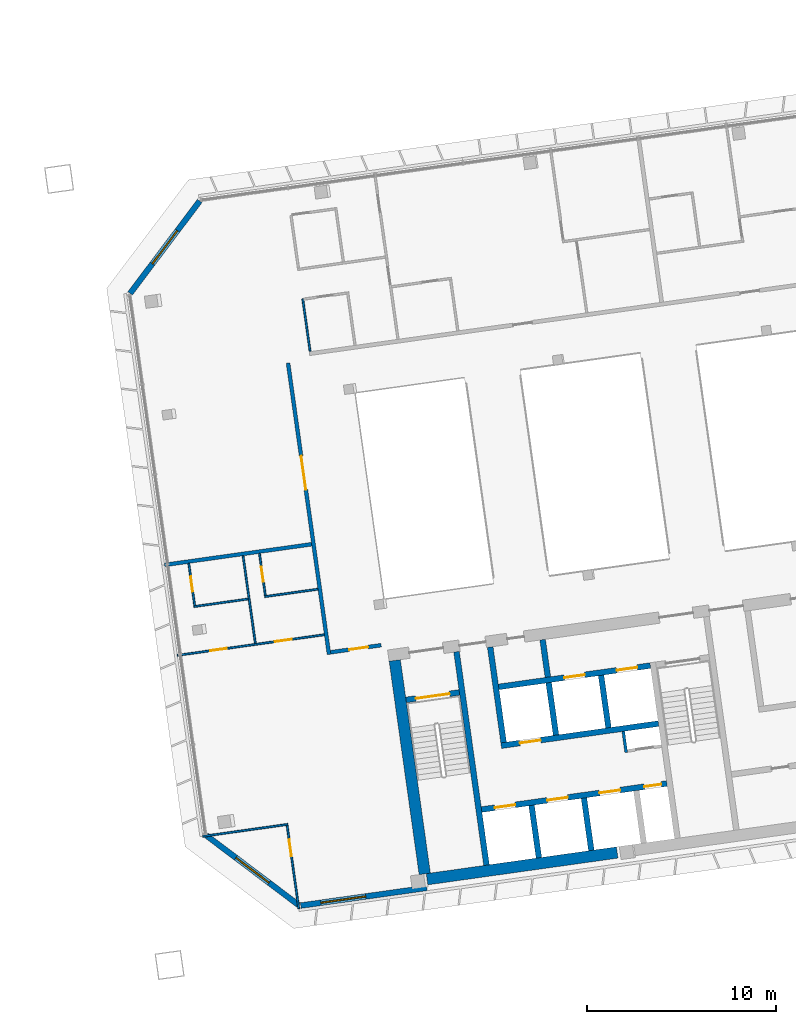
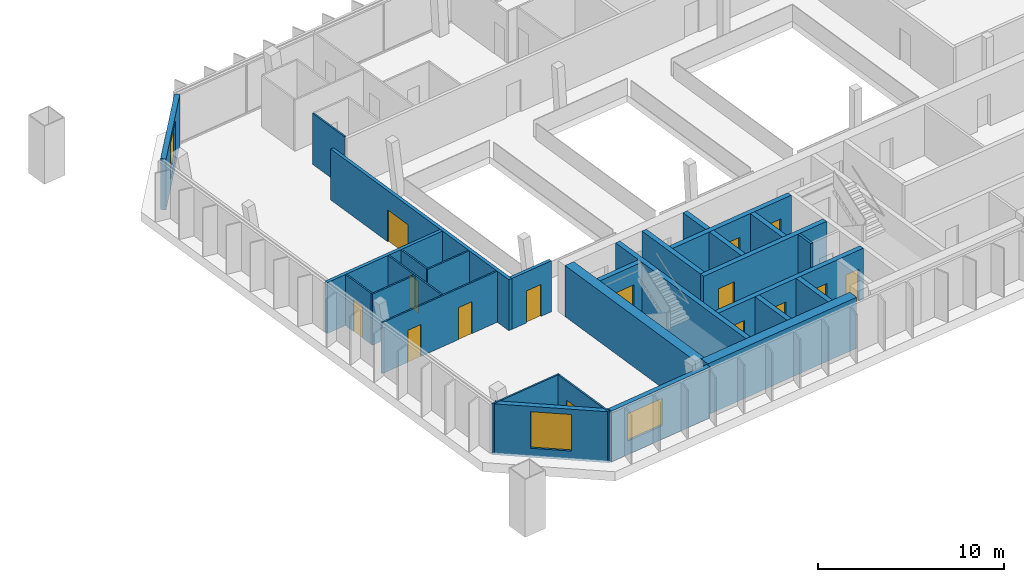
# One storey, part 15 of 20: 29 walls, 15 doors, 3 windows, 18 openings.
"""IFC4 building model written with IfcOpenShell, lengths in metres."""

import ifcopenshell
import ifcopenshell.guid

model = None  # the IFC model being written
_history = None  # IfcOwnerHistory: only IFC2X3 demands one
_inside = {}  # id of a spatial element -> (the spatial element, [elements in it])
_under = {}  # id of a project, library or spatial element -> (it, [spatial elements below it])
_declared = {}  # id of a project -> (the project, [libraries it declares])
_typed = {}  # id of a type object -> (the type object, [elements of that type])
_made_of = {}  # id of a material, layer set ... -> (it, [elements and type objects made of it])


def new_model(schema):
    """Start an empty IFC model of exactly this schema.

    Asked for "IFC4X3", IfcOpenShell would pick the latest addendum, in which some entities
    have other attributes; the version numbers below select the first issue.
    IFC2X3 requires an IfcOwnerHistory on every rooted entity: one is made here for all.
    """
    global model, _history
    if schema == "IFC4X3":
        model = ifcopenshell.file(schema_version=(4, 3, 0, 0))
    else:
        model = ifcopenshell.file(schema=schema)
    _inside.clear()
    _under.clear()
    _declared.clear()
    _typed.clear()
    _made_of.clear()
    _history = None
    if model.schema == "IFC2X3":
        org = make("IfcOrganization", Name="unknown")
        user = make(
            "IfcPersonAndOrganization",
            ThePerson=make("IfcPerson", FamilyName="unknown"),
            TheOrganization=org,
        )
        app = make(
            "IfcApplication",
            ApplicationDeveloper=org,
            Version="unknown",
            ApplicationFullName="unknown",
            ApplicationIdentifier="unknown",
        )
        _history = make(
            "IfcOwnerHistory",
            OwningUser=user,
            OwningApplication=app,
            ChangeAction="ADDED",
            CreationDate=0,
        )
    return model


def make(cls, **values):
    """One entity of the class cls with the attributes given. An attribute that is None is left unset."""
    return model.create_entity(
        cls, **{name: value for name, value in values.items() if value is not None}
    )


def rooted(cls, **values):
    """An entity with a GlobalId (a new one), such as an element, a storey or a relation."""
    return make(cls, GlobalId=ifcopenshell.guid.new(), OwnerHistory=_history, **values)


def si_unit(unit_type, name, prefix=None):
    """IfcSIUnit, for example si_unit("LENGTHUNIT", "METRE", prefix="MILLI")."""
    return make("IfcSIUnit", UnitType=unit_type, Prefix=prefix, Name=name)


def assignment(units):
    """IfcUnitAssignment: the units of a project."""
    return None if units is None else make("IfcUnitAssignment", Units=units)


def point(xyz):
    """IfcCartesianPoint."""
    return None if xyz is None else make("IfcCartesianPoint", Coordinates=xyz)


def direction(xyz):
    """IfcDirection."""
    return None if xyz is None else make("IfcDirection", DirectionRatios=xyz)


def frame(location, z_axis=None, x_axis=None):
    """IfcAxis2Placement3D, a coordinate frame: its origin and axes. An axis left out is left unset."""
    return make(
        "IfcAxis2Placement3D",
        Location=point(location),
        Axis=direction(z_axis),
        RefDirection=direction(x_axis),
    )


def frame_2d(location, x_axis=None):
    """IfcAxis2Placement2D, a coordinate frame in the plane: its origin and x axis."""
    return make(
        "IfcAxis2Placement2D", Location=point(location), RefDirection=direction(x_axis)
    )


def origin():
    """The frame at (0, 0, 0) with its axes left unset."""
    return frame((0.0, 0.0, 0.0))


def place(relative_to, where):
    """IfcLocalPlacement: puts the frame where relative to a parent placement (None: the world)."""
    return make(
        "IfcLocalPlacement", PlacementRelTo=relative_to, RelativePlacement=where
    )


def context(
    kind, dimensions, precision=None, world=None, true_north=None, identifier=None
):
    """IfcGeometricRepresentationContext, for example the 3D "Model" context."""
    return make(
        "IfcGeometricRepresentationContext",
        ContextIdentifier=identifier,
        ContextType=kind,
        CoordinateSpaceDimension=dimensions,
        Precision=precision,
        WorldCoordinateSystem=world,
        TrueNorth=true_north,
    )


def subcontext(parent, identifier, kind, view, scale=None):
    """IfcGeometricRepresentationSubContext, for example "Body" below "Model"."""
    return make(
        "IfcGeometricRepresentationSubContext",
        ContextIdentifier=identifier,
        ContextType=kind,
        ParentContext=parent,
        TargetScale=scale,
        TargetView=view,
    )


def project(units=None, contexts=None):
    """IfcProject with its units and contexts."""
    return rooted(
        "IfcProject",
        Name="project",
        RepresentationContexts=contexts,
        UnitsInContext=assignment(units),
    )


def spatial(cls, under=None, at=None, **own):
    """A site, building, storey or space (cls), placed at a placement, below another one or the project."""
    s = rooted(cls, ObjectPlacement=at, **own)
    if under is not None:
        _under.setdefault(under.id(), (under, []))[1].append(s)
    return s


def profile(cls, at=None, kind="AREA", **sizes):
    """A parametric profile (cls). Its sizes go by their IFC names, for example OverallWidth=200.0."""
    return make(cls, ProfileType=kind, Position=at, **sizes)


def rectangle(**sizes):
    """IfcRectangleProfileDef."""
    return profile("IfcRectangleProfileDef", **sizes)


def extrude(swept, where, along, depth):
    """IfcExtrudedAreaSolid: the profile swept, set in the frame where, extruded along a direction by depth."""
    return make(
        "IfcExtrudedAreaSolid",
        SweptArea=swept,
        Position=where,
        ExtrudedDirection=direction(along),
        Depth=depth,
    )


def shape(context_of_items, identifier, shape_type, items):
    """IfcShapeRepresentation: the items that make up one representation, for example the "Body"."""
    return make(
        "IfcShapeRepresentation",
        ContextOfItems=context_of_items,
        RepresentationIdentifier=identifier,
        RepresentationType=shape_type,
        Items=items,
    )


def material(Name=None, Category=None):
    """IfcMaterial."""
    return make("IfcMaterial", Name=Name, Category=Category)


def layer(
    of_material, thickness, ventilated=None, Name=None, Category=None, Priority=None
):
    """IfcMaterialLayer: one layer of a wall or slab, of a material (None: an air gap)."""
    return make(
        "IfcMaterialLayer",
        Material=of_material,
        LayerThickness=thickness,
        IsVentilated=ventilated,
        Name=Name,
        Category=Category,
        Priority=Priority,
    )


def layer_set(layers, Name=None):
    """IfcMaterialLayerSet."""
    return make("IfcMaterialLayerSet", MaterialLayers=layers, LayerSetName=Name)


def made_of(thing, what):
    """Note that an element or type object is made of a material, layer set ...; save() writes the relation."""
    if what is not None:
        _made_of.setdefault(what.id(), (what, []))[1].append(thing)
    return thing


def type_object(cls, material=None, **own):
    """A type object (cls), such as IfcWallType, which elements share."""
    return made_of(rooted(cls, **own), material)


def element(
    cls,
    number,
    at=None,
    inside=None,
    cuts=None,
    type_object=None,
    material=None,
    context=None,
    identifier="Body",
    shape_type=None,
    held_by="IfcProductDefinitionShape",
    body=None,
    shapes=None,
    **own,
):
    """One element of the class cls, such as IfcWall. Its Tag is "e" and its number.

    at: its placement. inside: the storey or other place that contains it. cuts: it is an
    opening in that element (IfcRelVoidsElement). A single representation is given by context,
    identifier, shape_type and body (its items); several are given by shapes. held_by: the class
    of the entity that holds the representations. save() writes the other relations.
    """
    e = rooted(cls, Tag="e%d" % number, ObjectPlacement=at, **own)
    if body is not None:
        shapes = [shape(context, identifier, shape_type, body)]
    if shapes is not None:
        e.Representation = make(held_by, Representations=shapes)
    if inside is not None:
        _inside.setdefault(inside.id(), (inside, []))[1].append(e)
    if cuts is not None:
        rooted(
            "IfcRelVoidsElement", RelatingBuildingElement=cuts, RelatedOpeningElement=e
        )
    if type_object is not None:
        _typed.setdefault(type_object.id(), (type_object, []))[1].append(e)
    return made_of(e, material)


def fill(opening, filler):
    """IfcRelFillsElement: the door or window that sits in an opening."""
    return rooted(
        "IfcRelFillsElement",
        RelatingOpeningElement=opening,
        RelatedBuildingElement=filler,
    )


def aggregate(whole, parts):
    """IfcRelAggregates: a whole, such as a stair, and the parts it consists of."""
    return rooted("IfcRelAggregates", RelatingObject=whole, RelatedObjects=parts)


def save(model, path):
    """Write the relations noted so far, then the file.

    IfcRelAggregates (storeys below a building ...), IfcRelContainedInSpatialStructure (elements
    in a storey), IfcRelDefinesByType, IfcRelAssociatesMaterial and IfcRelDeclares: one each for
    every whole, place, type object, material and project.
    """
    for whole, parts in _under.values():
        aggregate(whole, parts)
    for where, things in _inside.values():
        rooted(
            "IfcRelContainedInSpatialStructure",
            RelatedElements=things,
            RelatingStructure=where,
        )
    for kind, things in _typed.values():
        rooted("IfcRelDefinesByType", RelatedObjects=things, RelatingType=kind)
    for what, things in _made_of.values():
        rooted("IfcRelAssociatesMaterial", RelatedObjects=things, RelatingMaterial=what)
    for by, libraries in _declared.values():
        rooted("IfcRelDeclares", RelatingContext=by, RelatedDefinitions=libraries)
    model.write(path)


model = new_model("IFC4")

# Units and contexts
model_context = context("Model", 3, precision=1e-05, world=origin(), true_north=direction((0.0, 1.0)))
body_context = subcontext(model_context, "Body", "Model", "MODEL_VIEW")
ifc_project = project(units=[si_unit("LENGTHUNIT", "METRE"), si_unit("AREAUNIT", "SQUARE_METRE"), si_unit("VOLUMEUNIT", "CUBIC_METRE"), si_unit("PLANEANGLEUNIT", "RADIAN"), si_unit("MASSUNIT", "GRAM", prefix="KILO")], contexts=[model_context])

# Site, building, storey
site_placement = place(None, origin())
site = spatial("IfcSite", under=ifc_project, at=site_placement, CompositionType="ELEMENT")
building_placement = place(site_placement, origin())
building = spatial("IfcBuilding", under=site, at=building_placement, Name="Mirante Cascada Hotel Towers", CompositionType="ELEMENT")
storey_placement = place(building_placement, frame((0.0, 0.0, 224.2)))
storey = spatial("IfcBuildingStorey", under=building, at=storey_placement, Name="L53", CompositionType="ELEMENT", Elevation=224.2)

# Wall, opening, door
ifc_material_1 = material(Name="Fire-rated plasterboard on metal studs")
ifc_layer_1 = layer(ifc_material_1, 0.2)
ifc_layer_set_1 = layer_set([ifc_layer_1], Name="Compartment wall 200 EI 120")
wall_type_1 = type_object("IfcWallType", Name="Compartment wall 200 EI 120", PredefinedType="PARTITIONING", material=ifc_layer_set_1)
wall_1_placement = place(storey_placement, frame((32.5897, -7.493, 0.0), z_axis=(0.0, 0.0, 1.0), x_axis=(0.9902713, 0.1391498, 0.0)))
wall_1 = element("IfcWall", 1, at=wall_1_placement, inside=storey, type_object=wall_type_1, Name="Wall 2-L53-04", PredefinedType="PARTITIONING", context=body_context, shape_type="SweptSolid", body=[
    extrude(rectangle(XDim=2.7, YDim=0.2, at=frame_2d((1.35, 0.0))), origin(), (0.0, 0.0, 1.0), 3.35),
])
opening_1_placement = place(wall_1_placement, frame((1.0, 0.0, 0.0)))
opening_1 = element("IfcOpeningElement", 2, at=opening_1_placement, cuts=wall_1, Name="Opening D2-L53-01", PredefinedType="OPENING", context=body_context, shape_type="SweptSolid", body=[
    extrude(rectangle(XDim=1.0, YDim=2.1, at=frame_2d((0.5, 1.05))), frame((0.0, 0.1, 0.0), z_axis=(0.0, -1.0, 0.0), x_axis=(1.0, 0.0, 0.0)), (0.0, 0.0, 1.0), 0.2),
])
ifc_material_2 = material(Name="Fire-rated timber door leaf", Category="wood")
door_type_1 = type_object("IfcDoorType", Name="Entrance door DG1 1000x2100 EI 60", OperationType="SINGLE_SWING_LEFT", PredefinedType="DOOR", material=ifc_material_2)
door_1_placement = place(opening_1_placement, frame((1.0, 0.0, 0.0), z_axis=(0.0, 0.0, 1.0), x_axis=(-1.0, 0.0, 0.0)))
door_1 = element("IfcDoor", 3, at=door_1_placement, inside=storey, type_object=door_type_1, Name="Door D2-L53-01", OperationType="SINGLE_SWING_RIGHT", OverallHeight=2.1, OverallWidth=1.0, PredefinedType="DOOR", context=body_context, shape_type="SweptSolid", body=[
    extrude(rectangle(XDim=1.0, YDim=2.1, at=frame_2d((0.5, 1.05))), frame((0.0, 0.025, 0.0), z_axis=(0.0, -1.0, 0.0), x_axis=(1.0, 0.0, 0.0)), (0.0, 0.0, 1.0), 0.05),
])
fill(opening_1, door_1)

# Wall
wall_2_placement = place(storey_placement, frame((31.5844, -1.7773, 0.0), z_axis=(0.0, 0.0, 1.0), x_axis=(-0.9902673, -0.1391786, 0.0)))
element("IfcWall", 4, at=wall_2_placement, inside=storey, type_object=wall_type_1, Name="Wall 2-L53-09", PredefinedType="PARTITIONING", context=body_context, shape_type="SweptSolid", body=[
    extrude(rectangle(XDim=7.8539, YDim=0.2, at=frame_2d((3.927, 0.0))), origin(), (0.0, 0.0, 1.0), 3.35),
])

# Wall, opening, door
wall_3_placement = place(storey_placement, frame((30.3381, 7.8092, 0.0), z_axis=(0.0, 0.0, 1.0), x_axis=(0.1391753, -0.9902678, 0.0)))
wall_3 = element("IfcWall", 5, at=wall_3_placement, inside=storey, type_object=wall_type_1, Name="Wall 2-L53-27", PredefinedType="PARTITIONING", context=body_context, shape_type="SweptSolid", body=[
    extrude(rectangle(XDim=15.5667, YDim=0.2, at=frame_2d((7.7834, 0.0))), origin(), (0.0, 0.0, 1.0), 3.35),
])
opening_2_placement = place(wall_3_placement, frame((4.9667, 0.0, 0.0)))
opening_2 = element("IfcOpeningElement", 6, at=opening_2_placement, cuts=wall_3, Name="Opening D2-L53-17", PredefinedType="OPENING", context=body_context, shape_type="SweptSolid", body=[
    extrude(rectangle(XDim=1.8, YDim=2.1, at=frame_2d((0.9, 1.05))), frame((0.0, 0.1, 0.0), z_axis=(0.0, -1.0, 0.0), x_axis=(1.0, 0.0, 0.0)), (0.0, 0.0, 1.0), 0.2),
])
ifc_material_3 = material(Name="Fire-rated timber door leaf", Category="wood")
door_type_2 = type_object("IfcDoorType", Name="Suite double door DG2 1800x2100 EI 60", OperationType="DOUBLE_DOOR_SINGLE_SWING", PredefinedType="DOOR", material=ifc_material_3)
door_2_placement = place(opening_2_placement, origin())
door_2 = element("IfcDoor", 7, at=door_2_placement, inside=storey, type_object=door_type_2, Name="Door D2-L53-17", OperationType="DOUBLE_DOOR_SINGLE_SWING", OverallHeight=2.1, OverallWidth=1.8, PredefinedType="DOOR", context=body_context, shape_type="SweptSolid", body=[
    extrude(rectangle(XDim=0.895, YDim=2.1, at=frame_2d((0.4475, 1.05))), frame((0.0, 0.025, 0.0), z_axis=(0.0, -1.0, 0.0), x_axis=(1.0, 0.0, 0.0)), (0.0, 0.0, 1.0), 0.05),
    extrude(rectangle(XDim=0.895, YDim=2.1, at=frame_2d((1.3525, 1.05))), frame((0.0, 0.025, 0.0), z_axis=(0.0, -1.0, 0.0), x_axis=(1.0, 0.0, 0.0)), (0.0, 0.0, 1.0), 0.05),
])
fill(opening_2, door_2)

# Walls
ifc_material_4 = material(Name="Masonry block", Category="masonry")
ifc_layer_2 = layer(ifc_material_4, 0.15)
ifc_layer_set_2 = layer_set([ifc_layer_2], Name="Core room partition 150 block EI 30")
wall_type_2 = type_object("IfcWallType", Name="Core room partition 150 block EI 30", PredefinedType="PARTITIONING", material=ifc_layer_set_2)
wall_4_placement = place(storey_placement, frame((48.2295, -12.793, 0.0), z_axis=(0.0, 0.0, 1.0), x_axis=(-0.1391935, 0.9902652, 0.0)))
element("IfcWall", 8, at=wall_4_placement, inside=storey, type_object=wall_type_2, Name="Core wall partition T2 L53 2", PredefinedType="PARTITIONING", context=body_context, shape_type="SweptSolid", body=[
    extrude(rectangle(XDim=1.1251, YDim=0.15, at=frame_2d((0.5626, 0.0))), origin(), (0.0, 0.0, 1.0), 3.35),
])
ifc_material_5 = material(Name="Masonry block", Category="masonry")
ifc_layer_3 = layer(ifc_material_5, 0.3)
ifc_layer_set_3 = layer_set([ifc_layer_3], Name="Core wall 300 block EI 120")
wall_type_3 = type_object("IfcWallType", Name="Core wall 300 block EI 120", PredefinedType="PARTITIONING", material=ifc_layer_set_3)
wall_5_placement = place(storey_placement, frame((44.0843, -8.8061, 0.0), z_axis=(0.0, 0.0, 1.0), x_axis=(-0.1391951, 0.990265, 0.0)))
element("IfcWall", 9, at=wall_5_placement, inside=storey, type_object=wall_type_3, Name="Core wall partition T2 L53 1", PredefinedType="PARTITIONING", context=body_context, shape_type="SweptSolid", body=[
    extrude(rectangle(XDim=2.0001, YDim=0.3, at=frame_2d((1.0001, 0.0))), origin(), (0.0, 0.0, 1.0), 3.35),
])
ifc_material_6 = material(Name="Plasterboard on metal studs")
ifc_layer_4 = layer(ifc_material_6, 0.1)
ifc_layer_set_4 = layer_set([ifc_layer_4], Name="Partition 100")
wall_type_4 = type_object("IfcWallType", Name="Partition 100", PredefinedType="PARTITIONING", material=ifc_layer_set_4)
wall_6_placement = place(storey_placement, frame((30.3306, -16.596, 0.0), z_axis=(0.0, 0.0, 1.0), x_axis=(-0.9902661, -0.1391871, 0.0)))
element("IfcWall", 10, at=wall_6_placement, inside=storey, type_object=wall_type_4, Name="Wall 2-L53-01", PredefinedType="PARTITIONING", context=body_context, shape_type="SweptSolid", body=[
    extrude(rectangle(XDim=4.55, YDim=0.1, at=frame_2d((2.275, 0.0))), origin(), (0.0, 0.0, 1.0), 3.35),
])

# Wall, openings, doors
wall_7_placement = place(storey_placement, frame((32.2571, -6.5636, 0.0), z_axis=(0.0, 0.0, 1.0), x_axis=(-0.9902675, -0.1391768, 0.0)))
wall_7 = element("IfcWall", 11, at=wall_7_placement, inside=storey, type_object=wall_type_4, Name="Wall 2-L53-05", PredefinedType="PARTITIONING", context=body_context, shape_type="SweptSolid", body=[
    extrude(rectangle(XDim=7.854, YDim=0.1, at=frame_2d((3.927, 0.0))), origin(), (0.0, 0.0, 1.0), 3.35),
])
opening_3_placement = place(wall_7_placement, frame((5.204, 0.0, 0.0)))
opening_3 = element("IfcOpeningElement", 12, at=opening_3_placement, cuts=wall_7, Name="Opening D2-L53-02", PredefinedType="OPENING", context=body_context, shape_type="SweptSolid", body=[
    extrude(rectangle(XDim=0.9, YDim=2.1, at=frame_2d((0.45, 1.05))), frame((0.0, 0.05, 0.0), z_axis=(0.0, -1.0, 0.0), x_axis=(1.0, 0.0, 0.0)), (0.0, 0.0, 1.0), 0.1),
])
opening_4_placement = place(wall_7_placement, frame((1.7385, 0.0, 0.0)))
opening_4 = element("IfcOpeningElement", 13, at=opening_4_placement, cuts=wall_7, Name="Opening D2-L53-03", PredefinedType="OPENING", context=body_context, shape_type="SweptSolid", body=[
    extrude(rectangle(XDim=0.9, YDim=2.1, at=frame_2d((0.45, 1.05))), frame((0.0, 0.05, 0.0), z_axis=(0.0, -1.0, 0.0), x_axis=(1.0, 0.0, 0.0)), (0.0, 0.0, 1.0), 0.1),
])
ifc_material_7 = material(Name="Timber door leaf", Category="wood")
door_type_3 = type_object("IfcDoorType", Name="Room door DG3 900x2100", OperationType="SINGLE_SWING_LEFT", PredefinedType="DOOR", material=ifc_material_7)
door_3_placement = place(opening_3_placement, origin())
door_3 = element("IfcDoor", 14, at=door_3_placement, inside=storey, type_object=door_type_3, Name="Door D2-L53-02", OperationType="SINGLE_SWING_LEFT", OverallHeight=2.1, OverallWidth=0.9, PredefinedType="DOOR", context=body_context, shape_type="SweptSolid", body=[
    extrude(rectangle(XDim=0.9, YDim=2.1, at=frame_2d((0.45, 1.05))), frame((0.0, 0.025, 0.0), z_axis=(0.0, -1.0, 0.0), x_axis=(1.0, 0.0, 0.0)), (0.0, 0.0, 1.0), 0.05),
])
fill(opening_3, door_3)
door_4_placement = place(opening_4_placement, origin())
door_4 = element("IfcDoor", 15, at=door_4_placement, inside=storey, type_object=door_type_3, Name="Door D2-L53-03", OperationType="SINGLE_SWING_LEFT", OverallHeight=2.1, OverallWidth=0.9, PredefinedType="DOOR", context=body_context, shape_type="SweptSolid", body=[
    extrude(rectangle(XDim=0.9, YDim=2.1, at=frame_2d((0.45, 1.05))), frame((0.0, 0.025, 0.0), z_axis=(0.0, -1.0, 0.0), x_axis=(1.0, 0.0, 0.0)), (0.0, 0.0, 1.0), 0.05),
])
fill(opening_4, door_4)

# Walls
wall_8_placement = place(storey_placement, frame((28.2277, -4.6727, 0.0), z_axis=(0.0, 0.0, 1.0), x_axis=(-0.9902683, -0.1391714, 0.0)))
element("IfcWall", 16, at=wall_8_placement, inside=storey, type_object=wall_type_4, Name="Wall 2-L53-07", PredefinedType="PARTITIONING", context=body_context, shape_type="SweptSolid", body=[
    extrude(rectangle(XDim=2.9, YDim=0.1, at=frame_2d((1.45, 0.0))), origin(), (0.0, 0.0, 1.0), 3.35),
])
wall_9_placement = place(storey_placement, frame((29.0962, -4.5506, 0.0), z_axis=(0.0, 0.0, 1.0), x_axis=(0.9902697, 0.1391613, 0.0)))
element("IfcWall", 17, at=wall_9_placement, inside=storey, type_object=wall_type_4, Name="Wall 2-L53-08", PredefinedType="PARTITIONING", context=body_context, shape_type="SweptSolid", body=[
    extrude(rectangle(XDim=2.8499, YDim=0.1, at=frame_2d((1.425, 0.0))), origin(), (0.0, 0.0, 1.0), 3.35),
])

# Wall, opening, door
wall_10_placement = place(storey_placement, frame((25.0854, -2.7917, 0.0), z_axis=(0.0, 0.0, 1.0), x_axis=(0.1391561, -0.9902705, 0.0)))
wall_10 = element("IfcWall", 18, at=wall_10_placement, inside=storey, type_object=wall_type_4, Name="Wall 2-L53-23", PredefinedType="PARTITIONING", context=body_context, shape_type="SweptSolid", body=[
    extrude(rectangle(XDim=2.25, YDim=0.1, at=frame_2d((1.125, 0.0))), origin(), (0.0, 0.0, 1.0), 3.35),
])
opening_5_placement = place(wall_10_placement, frame((0.7, 0.0, 0.0)))
opening_5 = element("IfcOpeningElement", 19, at=opening_5_placement, cuts=wall_10, Name="Opening D2-L53-14", PredefinedType="OPENING", context=body_context, shape_type="SweptSolid", body=[
    extrude(rectangle(XDim=0.8, YDim=2.1, at=frame_2d((0.4, 1.05))), frame((0.0, 0.05, 0.0), z_axis=(0.0, -1.0, 0.0), x_axis=(1.0, 0.0, 0.0)), (0.0, 0.0, 1.0), 0.1),
])
ifc_material_8 = material(Name="Timber door leaf", Category="wood")
door_type_4 = type_object("IfcDoorType", Name="Bathroom door DG4 800x2100", OperationType="SINGLE_SWING_LEFT", PredefinedType="DOOR", material=ifc_material_8)
door_5_placement = place(opening_5_placement, origin())
door_5 = element("IfcDoor", 20, at=door_5_placement, inside=storey, type_object=door_type_4, Name="Door D2-L53-14", OperationType="SINGLE_SWING_LEFT", OverallHeight=2.1, OverallWidth=0.8, PredefinedType="DOOR", context=body_context, shape_type="SweptSolid", body=[
    extrude(rectangle(XDim=0.8, YDim=2.1, at=frame_2d((0.4, 1.05))), frame((0.0, 0.025, 0.0), z_axis=(0.0, -1.0, 0.0), x_axis=(1.0, 0.0, 0.0)), (0.0, 0.0, 1.0), 0.05),
])
fill(opening_5, door_5)

# Wall
wall_11_placement = place(storey_placement, frame((28.6089, -7.0258, 0.0), z_axis=(0.0, 0.0, 1.0), x_axis=(-0.139176, 0.9902677, 0.0)))
element("IfcWall", 21, at=wall_11_placement, inside=storey, type_object=wall_type_4, Name="Wall 2-L53-24", PredefinedType="PARTITIONING", context=body_context, shape_type="SweptSolid", body=[
    extrude(rectangle(XDim=4.6833, YDim=0.1, at=frame_2d((2.3416, 0.0))), origin(), (0.0, 0.0, 1.0), 3.35),
])

# Wall, opening, door
wall_12_placement = place(storey_placement, frame((30.288, -16.6525, 0.0), z_axis=(0.0, 0.0, 1.0), x_axis=(0.1391904, -0.9902656, 0.0)))
wall_12 = element("IfcWall", 22, at=wall_12_placement, inside=storey, type_object=wall_type_4, Name="Wall 2-L53-25", PredefinedType="PARTITIONING", context=body_context, shape_type="SweptSolid", body=[
    extrude(rectangle(XDim=4.45, YDim=0.1, at=frame_2d((2.225, 0.0))), origin(), (0.0, 0.0, 1.0), 3.35),
])
opening_6_placement = place(wall_12_placement, frame((0.75, 0.0, 0.0)))
opening_6 = element("IfcOpeningElement", 23, at=opening_6_placement, cuts=wall_12, Name="Opening D2-L53-15", PredefinedType="OPENING", context=body_context, shape_type="SweptSolid", body=[
    extrude(rectangle(XDim=0.9, YDim=2.1, at=frame_2d((0.45, 1.05))), frame((0.0, 0.05, 0.0), z_axis=(0.0, -1.0, 0.0), x_axis=(1.0, 0.0, 0.0)), (0.0, 0.0, 1.0), 0.1),
])
door_6_placement = place(opening_6_placement, origin())
door_6 = element("IfcDoor", 24, at=door_6_placement, inside=storey, type_object=door_type_3, Name="Door D2-L53-15", OperationType="SINGLE_SWING_LEFT", OverallHeight=2.1, OverallWidth=0.9, PredefinedType="DOOR", context=body_context, shape_type="SweptSolid", body=[
    extrude(rectangle(XDim=0.9, YDim=2.1, at=frame_2d((0.45, 1.05))), frame((0.0, 0.025, 0.0), z_axis=(0.0, -1.0, 0.0), x_axis=(1.0, 0.0, 0.0)), (0.0, 0.0, 1.0), 0.05),
])
fill(opening_6, door_6)

wall_13_placement = place(storey_placement, frame((29.1387, -4.4941, 0.0), z_axis=(0.0, 0.0, 1.0), x_axis=(-0.1391561, 0.9902705, 0.0)))
wall_13 = element("IfcWall", 25, at=wall_13_placement, inside=storey, type_object=wall_type_4, Name="Wall 2-L53-26", PredefinedType="PARTITIONING", context=body_context, shape_type="SweptSolid", body=[
    extrude(rectangle(XDim=2.25, YDim=0.1, at=frame_2d((1.125, 0.0))), origin(), (0.0, 0.0, 1.0), 3.35),
])
opening_7_placement = place(wall_13_placement, frame((0.75, 0.0, 0.0)))
opening_7 = element("IfcOpeningElement", 26, at=opening_7_placement, cuts=wall_13, Name="Opening D2-L53-16", PredefinedType="OPENING", context=body_context, shape_type="SweptSolid", body=[
    extrude(rectangle(XDim=0.8, YDim=2.1, at=frame_2d((0.4, 1.05))), frame((0.0, 0.05, 0.0), z_axis=(0.0, -1.0, 0.0), x_axis=(1.0, 0.0, 0.0)), (0.0, 0.0, 1.0), 0.1),
])
door_7_placement = place(opening_7_placement, frame((0.8, 0.0, 0.0), z_axis=(0.0, 0.0, 1.0), x_axis=(-1.0, 0.0, 0.0)))
door_7 = element("IfcDoor", 27, at=door_7_placement, inside=storey, type_object=door_type_4, Name="Door D2-L53-16", OperationType="SINGLE_SWING_RIGHT", OverallHeight=2.1, OverallWidth=0.8, PredefinedType="DOOR", context=body_context, shape_type="SweptSolid", body=[
    extrude(rectangle(XDim=0.8, YDim=2.1, at=frame_2d((0.4, 1.05))), frame((0.0, 0.025, 0.0), z_axis=(0.0, -1.0, 0.0), x_axis=(1.0, 0.0, 0.0)), (0.0, 0.0, 1.0), 0.05),
])
fill(opening_7, door_7)

# Wall
wall_14_placement = place(storey_placement, frame((31.5025, 8.4407, 0.0), z_axis=(0.0, 0.0, 1.0), x_axis=(-0.139173, 0.9902681, 0.0)))
element("IfcWall", 28, at=wall_14_placement, inside=storey, type_object=wall_type_4, Name="Wall 2-L53-28", PredefinedType="PARTITIONING", context=body_context, shape_type="SweptSolid", body=[
    extrude(rectangle(XDim=2.7901, YDim=0.1, at=frame_2d((1.395, 0.0))), origin(), (0.0, 0.0, 1.0), 3.35),
])

# Wall, opening, window
ifc_material_9 = material(Name="Precast concrete C40/50", Category="concrete")
ifc_layer_5 = layer(ifc_material_9, 0.3)
ifc_layer_set_5 = layer_set([ifc_layer_5], Name="Precast concrete C40/50 cladding wall 300")
wall_type_5 = type_object("IfcWallType", Name="Precast concrete C40/50 cladding wall 300", PredefinedType="STANDARD", material=ifc_layer_set_5)
wall_15_placement = place(storey_placement, frame((31.0094, -20.8934, 0.0), z_axis=(0.0, 0.0, 1.0), x_axis=(0.9902685, 0.1391701, 0.0)))
wall_15 = element("IfcWall", 29, at=wall_15_placement, inside=storey, type_object=wall_type_5, Name="Rear cladding wall T2 L53 1", PredefinedType="STANDARD", context=body_context, shape_type="SweptSolid", body=[
    extrude(rectangle(XDim=6.7299, YDim=0.3, at=frame_2d((3.365, 0.0))), origin(), (0.0, 0.0, 1.0), 3.35),
])
opening_8_placement = place(wall_15_placement, frame((1.0785, 0.0, 0.9)))
opening_8 = element("IfcOpeningElement", 30, at=opening_8_placement, cuts=wall_15, Name="Opening W2-53-01", PredefinedType="OPENING", context=body_context, shape_type="SweptSolid", body=[
    extrude(rectangle(XDim=2.4, YDim=1.8, at=frame_2d((1.2, 0.9))), frame((0.0, 0.15, 0.0), z_axis=(0.0, -1.0, 0.0), x_axis=(1.0, 0.0, 0.0)), (0.0, 0.0, 1.0), 0.3),
])
ifc_material_10 = material(Name="Aluminium frame with clear double glazing", Category="aluminium")
window_type_1 = type_object("IfcWindowType", Name="Punched window 2400x1800", PartitioningType="DOUBLE_PANEL_VERTICAL", PredefinedType="WINDOW", material=ifc_material_10)
window_1_placement = place(opening_8_placement, origin())
window_1 = element("IfcWindow", 31, at=window_1_placement, inside=storey, type_object=window_type_1, Name="Window W2-53-01", OverallHeight=1.8, OverallWidth=2.4, PartitioningType="SINGLE_PANEL", PredefinedType="WINDOW", context=body_context, shape_type="SweptSolid", body=[
    extrude(rectangle(XDim=2.4, YDim=1.8, at=frame_2d((1.2, 0.9))), frame((0.0, 0.03, 0.0), z_axis=(0.0, -1.0, 0.0), x_axis=(1.0, 0.0, 0.0)), (0.0, 0.0, 1.0), 0.06),
])
fill(opening_8, window_1)

wall_16_placement = place(storey_placement, frame((25.6639, 16.3816, 0.0), z_axis=(0.0, 0.0, 1.0), x_axis=(-0.6018141, -0.7986362, 0.0)))
wall_16 = element("IfcWall", 32, at=wall_16_placement, inside=storey, type_object=wall_type_5, Name="Corner cladding wall T2 L53 front inner", PredefinedType="STANDARD", context=body_context, shape_type="SweptSolid", body=[
    extrude(rectangle(XDim=6.1157, YDim=0.3, at=frame_2d((3.0578, 0.0))), origin(), (0.0, 0.0, 1.0), 3.35),
])
opening_9_placement = place(wall_16_placement, frame((1.9578, 0.0, 0.6)))
opening_9 = element("IfcOpeningElement", 33, at=opening_9_placement, cuts=wall_16, Name="Opening W2-53-04", PredefinedType="OPENING", context=body_context, shape_type="SweptSolid", body=[
    extrude(rectangle(XDim=2.2, YDim=2.4, at=frame_2d((1.1, 1.2))), frame((0.0, 0.15, 0.0), z_axis=(0.0, -1.0, 0.0), x_axis=(1.0, 0.0, 0.0)), (0.0, 0.0, 1.0), 0.3),
])
ifc_material_11 = material(Name="Aluminium frame with clear double glazing", Category="aluminium")
window_type_2 = type_object("IfcWindowType", Name="Corner suite window 2200x2400", PartitioningType="DOUBLE_PANEL_VERTICAL", PredefinedType="WINDOW", material=ifc_material_11)
window_2_placement = place(opening_9_placement, origin())
window_2 = element("IfcWindow", 34, at=window_2_placement, inside=storey, type_object=window_type_2, Name="Window W2-53-04", OverallHeight=2.4, OverallWidth=2.2, PartitioningType="SINGLE_PANEL", PredefinedType="WINDOW", context=body_context, shape_type="SweptSolid", body=[
    extrude(rectangle(XDim=2.2, YDim=2.4, at=frame_2d((1.1, 1.2))), frame((0.0, 0.03, 0.0), z_axis=(0.0, -1.0, 0.0), x_axis=(1.0, 0.0, 0.0)), (0.0, 0.0, 1.0), 0.06),
])
fill(opening_9, window_2)

wall_17_placement = place(storey_placement, frame((26.0143, -17.1842, 0.0), z_axis=(0.0, 0.0, 1.0), x_axis=(0.7986362, -0.6018141, 0.0)))
wall_17 = element("IfcWall", 35, at=wall_17_placement, inside=storey, type_object=wall_type_5, Name="Corner cladding wall T2 L53 inner rear", PredefinedType="STANDARD", context=body_context, shape_type="SweptSolid", body=[
    extrude(rectangle(XDim=6.1157, YDim=0.3, at=frame_2d((3.0578, 0.0))), origin(), (0.0, 0.0, 1.0), 3.35),
])
opening_10_placement = place(wall_17_placement, frame((1.9578, 0.0, 0.6)))
opening_10 = element("IfcOpeningElement", 36, at=opening_10_placement, cuts=wall_17, Name="Opening W2-53-05", PredefinedType="OPENING", context=body_context, shape_type="SweptSolid", body=[
    extrude(rectangle(XDim=2.2, YDim=2.4, at=frame_2d((1.1, 1.2))), frame((0.0, 0.15, 0.0), z_axis=(0.0, -1.0, 0.0), x_axis=(1.0, 0.0, 0.0)), (0.0, 0.0, 1.0), 0.3),
])
window_3_placement = place(opening_10_placement, origin())
window_3 = element("IfcWindow", 37, at=window_3_placement, inside=storey, type_object=window_type_2, Name="Window W2-53-05", OverallHeight=2.4, OverallWidth=2.2, PartitioningType="SINGLE_PANEL", PredefinedType="WINDOW", context=body_context, shape_type="SweptSolid", body=[
    extrude(rectangle(XDim=2.2, YDim=2.4, at=frame_2d((1.1, 1.2))), frame((0.0, 0.03, 0.0), z_axis=(0.0, -1.0, 0.0), x_axis=(1.0, 0.0, 0.0)), (0.0, 0.0, 1.0), 0.06),
])
fill(opening_10, window_3)

# Wall
ifc_material_12 = material(Name="Concrete C50/60", Category="concrete")
ifc_layer_6 = layer(ifc_material_12, 0.3)
ifc_layer_set_6 = layer_set([ifc_layer_6], Name="RC core wall 300 C50/60")
wall_type_6 = type_object("IfcWallType", Name="RC core wall 300 C50/60", PredefinedType="SHEAR", material=ifc_layer_set_6)
wall_18_placement = place(storey_placement, frame((40.8373, -18.7548, 0.0), z_axis=(0.0, 0.0, 1.0), x_axis=(-0.1391749, 0.9902678, 0.0)))
element("IfcWall", 38, at=wall_18_placement, inside=storey, type_object=wall_type_6, Name="Core wall T2:L53:5", PredefinedType="SHEAR", context=body_context, shape_type="SweptSolid", body=[
    extrude(rectangle(XDim=11.4, YDim=0.3, at=frame_2d((5.7, 0.0))), origin(), (0.0, 0.0, 1.0), 3.35),
])

# Wall, opening, door
wall_19_placement = place(storey_placement, frame((36.5791, -10.0123, 0.0), z_axis=(0.0, 0.0, 1.0), x_axis=(0.9902704, 0.1391564, 0.0)))
wall_19 = element("IfcWall", 39, at=wall_19_placement, inside=storey, type_object=wall_type_6, Name="Core wall T2:L53:8", PredefinedType="SHEAR", context=body_context, shape_type="SweptSolid", body=[
    extrude(rectangle(XDim=2.85, YDim=0.3, at=frame_2d((1.425, 0.0))), origin(), (0.0, 0.0, 1.0), 3.35),
])
opening_11_placement = place(wall_19_placement, frame((0.525, 0.0, 0.0)))
opening_11 = element("IfcOpeningElement", 40, at=opening_11_placement, cuts=wall_19, Name="Opening D2-53-C07", PredefinedType="OPENING", context=body_context, shape_type="SweptSolid", body=[
    extrude(rectangle(XDim=1.8, YDim=2.1, at=frame_2d((0.9, 1.05))), frame((0.0, 0.15, 0.0), z_axis=(0.0, -1.0, 0.0), x_axis=(1.0, 0.0, 0.0)), (0.0, 0.0, 1.0), 0.3),
])
ifc_material_13 = material(Name="Hollow metal fire door leaf")
door_type_5 = type_object("IfcDoorType", Name="Double fire door 1800x2100 FD60", OperationType="DOUBLE_DOOR_SINGLE_SWING", PredefinedType="DOOR", material=ifc_material_13)
door_8_placement = place(opening_11_placement, frame((1.8, 0.0, 0.0), z_axis=(0.0, 0.0, 1.0), x_axis=(-1.0, 0.0, 0.0)))
door_8 = element("IfcDoor", 41, at=door_8_placement, inside=storey, type_object=door_type_5, Name="Stair door T2 L53 7", OperationType="DOUBLE_DOOR_SINGLE_SWING", OverallHeight=2.1, OverallWidth=1.8, PredefinedType="DOOR", context=body_context, shape_type="SweptSolid", body=[
    extrude(rectangle(XDim=0.895, YDim=2.1, at=frame_2d((0.4475, 1.05))), frame((0.0, 0.025, 0.0), z_axis=(0.0, -1.0, 0.0), x_axis=(1.0, 0.0, 0.0)), (0.0, 0.0, 1.0), 0.05),
    extrude(rectangle(XDim=0.895, YDim=2.1, at=frame_2d((1.3525, 1.05))), frame((0.0, 0.025, 0.0), z_axis=(0.0, -1.0, 0.0), x_axis=(1.0, 0.0, 0.0)), (0.0, 0.0, 1.0), 0.05),
])
fill(opening_11, door_8)

# Wall, openings, doors
wall_20_placement = place(storey_placement, frame((40.5753, -15.8126, 0.0), z_axis=(0.0, 0.0, 1.0), x_axis=(0.9902682, 0.1391725, 0.0)))
wall_20 = element("IfcWall", 42, at=wall_20_placement, inside=storey, type_object=wall_type_6, Name="Core wall T2:L53:10", PredefinedType="SHEAR", context=body_context, shape_type="SweptSolid", body=[
    extrude(rectangle(XDim=9.8999, YDim=0.3, at=frame_2d((4.95, 0.0))), origin(), (0.0, 0.0, 1.0), 3.35),
])
opening_12_placement = place(wall_20_placement, frame((0.7, 0.0, 0.0)))
opening_12 = element("IfcOpeningElement", 43, at=opening_12_placement, cuts=wall_20, Name="Opening LD", PredefinedType="OPENING", context=body_context, shape_type="SweptSolid", body=[
    extrude(rectangle(XDim=1.1, YDim=2.1, at=frame_2d((0.55, 1.05))), frame((0.0, 0.15, 0.0), z_axis=(0.0, -1.0, 0.0), x_axis=(1.0, 0.0, 0.0)), (0.0, 0.0, 1.0), 0.3),
])
opening_13_placement = place(wall_20_placement, frame((3.5, 0.0, 0.0)))
opening_13 = element("IfcOpeningElement", 44, at=opening_13_placement, cuts=wall_20, Name="Opening LD", PredefinedType="OPENING", context=body_context, shape_type="SweptSolid", body=[
    extrude(rectangle(XDim=1.1, YDim=2.1, at=frame_2d((0.55, 1.05))), frame((0.0, 0.15, 0.0), z_axis=(0.0, -1.0, 0.0), x_axis=(1.0, 0.0, 0.0)), (0.0, 0.0, 1.0), 0.3),
])
opening_14_placement = place(wall_20_placement, frame((6.3, 0.0, 0.0)))
opening_14 = element("IfcOpeningElement", 45, at=opening_14_placement, cuts=wall_20, Name="Opening LD", PredefinedType="OPENING", context=body_context, shape_type="SweptSolid", body=[
    extrude(rectangle(XDim=1.1, YDim=2.1, at=frame_2d((0.55, 1.05))), frame((0.0, 0.15, 0.0), z_axis=(0.0, -1.0, 0.0), x_axis=(1.0, 0.0, 0.0)), (0.0, 0.0, 1.0), 0.3),
])
opening_15_placement = place(wall_20_placement, frame((8.7, 0.0, 0.0)))
opening_15 = element("IfcOpeningElement", 46, at=opening_15_placement, cuts=wall_20, Name="Opening D2-53-C14", PredefinedType="OPENING", context=body_context, shape_type="SweptSolid", body=[
    extrude(rectangle(XDim=0.9, YDim=2.1, at=frame_2d((0.45, 1.05))), frame((0.0, 0.15, 0.0), z_axis=(0.0, -1.0, 0.0), x_axis=(1.0, 0.0, 0.0)), (0.0, 0.0, 1.0), 0.3),
])
ifc_material_14 = material(Name="Hollow metal fire door leaf")
door_type_6 = type_object("IfcDoorType", Name="Fire door 900x2100 FD60", OperationType="NOTDEFINED", PredefinedType="DOOR", material=ifc_material_14)
door_9_placement = place(opening_15_placement, frame((0.9, 0.0, 0.0), z_axis=(0.0, 0.0, 1.0), x_axis=(-1.0, 0.0, 0.0)))
door_9 = element("IfcDoor", 47, at=door_9_placement, inside=storey, type_object=door_type_6, Name="Riser door T2 L53 14", OperationType="SINGLE_SWING_RIGHT", OverallHeight=2.1, OverallWidth=0.9, PredefinedType="DOOR", context=body_context, shape_type="SweptSolid", body=[
    extrude(rectangle(XDim=0.9, YDim=2.1, at=frame_2d((0.45, 1.05))), frame((0.0, 0.025, 0.0), z_axis=(0.0, -1.0, 0.0), x_axis=(1.0, 0.0, 0.0)), (0.0, 0.0, 1.0), 0.05),
])
fill(opening_15, door_9)
ifc_material_15 = material(Name="Stainless steel", Category="steel")
door_type_7 = type_object("IfcDoorType", Name="Lift landing door 1100x2100 EI 120", OperationType="DOUBLE_DOOR_SLIDING", PredefinedType="DOOR", material=ifc_material_15)
door_10_placement = place(opening_12_placement, origin())
door_10 = element("IfcDoor", 48, at=door_10_placement, inside=storey, type_object=door_type_7, Name="Lift landing door HR2-1 L53", OperationType="DOUBLE_DOOR_SLIDING", OverallHeight=2.1, OverallWidth=1.1, PredefinedType="DOOR", context=body_context, shape_type="SweptSolid", body=[
    extrude(rectangle(XDim=0.545, YDim=2.1, at=frame_2d((0.2725, 1.05))), frame((0.0, 0.025, 0.0), z_axis=(0.0, -1.0, 0.0), x_axis=(1.0, 0.0, 0.0)), (0.0, 0.0, 1.0), 0.05),
    extrude(rectangle(XDim=0.545, YDim=2.1, at=frame_2d((0.8275, 1.05))), frame((0.0, 0.025, 0.0), z_axis=(0.0, -1.0, 0.0), x_axis=(1.0, 0.0, 0.0)), (0.0, 0.0, 1.0), 0.05),
])
fill(opening_12, door_10)
door_11_placement = place(opening_13_placement, origin())
door_11 = element("IfcDoor", 49, at=door_11_placement, inside=storey, type_object=door_type_7, Name="Lift landing door HR2-2 L53", OperationType="DOUBLE_DOOR_SLIDING", OverallHeight=2.1, OverallWidth=1.1, PredefinedType="DOOR", context=body_context, shape_type="SweptSolid", body=[
    extrude(rectangle(XDim=0.545, YDim=2.1, at=frame_2d((0.2725, 1.05))), frame((0.0, 0.025, 0.0), z_axis=(0.0, -1.0, 0.0), x_axis=(1.0, 0.0, 0.0)), (0.0, 0.0, 1.0), 0.05),
    extrude(rectangle(XDim=0.545, YDim=2.1, at=frame_2d((0.8275, 1.05))), frame((0.0, 0.025, 0.0), z_axis=(0.0, -1.0, 0.0), x_axis=(1.0, 0.0, 0.0)), (0.0, 0.0, 1.0), 0.05),
])
fill(opening_13, door_11)
door_12_placement = place(opening_14_placement, origin())
door_12 = element("IfcDoor", 50, at=door_12_placement, inside=storey, type_object=door_type_7, Name="Lift landing door HR2-3 L53", OperationType="DOUBLE_DOOR_SLIDING", OverallHeight=2.1, OverallWidth=1.1, PredefinedType="DOOR", context=body_context, shape_type="SweptSolid", body=[
    extrude(rectangle(XDim=0.545, YDim=2.1, at=frame_2d((0.2725, 1.05))), frame((0.0, 0.025, 0.0), z_axis=(0.0, -1.0, 0.0), x_axis=(1.0, 0.0, 0.0)), (0.0, 0.0, 1.0), 0.05),
    extrude(rectangle(XDim=0.545, YDim=2.1, at=frame_2d((0.8275, 1.05))), frame((0.0, 0.025, 0.0), z_axis=(0.0, -1.0, 0.0), x_axis=(1.0, 0.0, 0.0)), (0.0, 0.0, 1.0), 0.05),
])
fill(opening_14, door_12)

# Wall, opening, door
wall_21_placement = place(storey_placement, frame((41.6153, -12.435, 0.0), z_axis=(0.0, 0.0, 1.0), x_axis=(0.9902691, 0.139166, 0.0)))
wall_21 = element("IfcWall", 51, at=wall_21_placement, inside=storey, type_object=wall_type_6, Name="Core wall T2:L53:11", PredefinedType="SHEAR", context=body_context, shape_type="SweptSolid", body=[
    extrude(rectangle(XDim=8.4, YDim=0.3, at=frame_2d((4.2, 0.0))), origin(), (0.0, 0.0, 1.0), 3.35),
])
opening_16_placement = place(wall_21_placement, frame((1.0, 0.0, 0.0)))
opening_16 = element("IfcOpeningElement", 52, at=opening_16_placement, cuts=wall_21, Name="Opening LD", PredefinedType="OPENING", context=body_context, shape_type="SweptSolid", body=[
    extrude(rectangle(XDim=1.1, YDim=2.1, at=frame_2d((0.55, 1.05))), frame((0.0, 0.15, 0.0), z_axis=(0.0, -1.0, 0.0), x_axis=(1.0, 0.0, 0.0)), (0.0, 0.0, 1.0), 0.3),
])
door_13_placement = place(opening_16_placement, origin())
door_13 = element("IfcDoor", 53, at=door_13_placement, inside=storey, type_object=door_type_7, Name="Lift landing door HR2-4 L53", OperationType="DOUBLE_DOOR_SLIDING", OverallHeight=2.1, OverallWidth=1.1, PredefinedType="DOOR", context=body_context, shape_type="SweptSolid", body=[
    extrude(rectangle(XDim=0.545, YDim=2.1, at=frame_2d((0.2725, 1.05))), frame((0.0, 0.025, 0.0), z_axis=(0.0, -1.0, 0.0), x_axis=(1.0, 0.0, 0.0)), (0.0, 0.0, 1.0), 0.05),
    extrude(rectangle(XDim=0.545, YDim=2.1, at=frame_2d((0.8275, 1.05))), frame((0.0, 0.025, 0.0), z_axis=(0.0, -1.0, 0.0), x_axis=(1.0, 0.0, 0.0)), (0.0, 0.0, 1.0), 0.05),
])
fill(opening_16, door_13)

# Wall, openings, doors
wall_22_placement = place(storey_placement, frame((41.481, -9.3234, 0.0), z_axis=(0.0, 0.0, 1.0), x_axis=(0.9902679, 0.1391741, 0.0)))
wall_22 = element("IfcWall", 54, at=wall_22_placement, inside=storey, type_object=wall_type_6, Name="Core wall T2:L53:12", PredefinedType="SHEAR", context=body_context, shape_type="SweptSolid", body=[
    extrude(rectangle(XDim=8.0999, YDim=0.3, at=frame_2d((4.05, 0.0))), origin(), (0.0, 0.0, 1.0), 3.35),
])
opening_17_placement = place(wall_22_placement, frame((3.5, 0.0, 0.0)))
opening_17 = element("IfcOpeningElement", 55, at=opening_17_placement, cuts=wall_22, Name="Opening LD", PredefinedType="OPENING", context=body_context, shape_type="SweptSolid", body=[
    extrude(rectangle(XDim=1.1, YDim=2.1, at=frame_2d((0.55, 1.05))), frame((0.0, 0.15, 0.0), z_axis=(0.0, -1.0, 0.0), x_axis=(1.0, 0.0, 0.0)), (0.0, 0.0, 1.0), 0.3),
])
opening_18_placement = place(wall_22_placement, frame((6.3, 0.0, 0.0)))
opening_18 = element("IfcOpeningElement", 56, at=opening_18_placement, cuts=wall_22, Name="Opening LD", PredefinedType="OPENING", context=body_context, shape_type="SweptSolid", body=[
    extrude(rectangle(XDim=1.1, YDim=2.1, at=frame_2d((0.55, 1.05))), frame((0.0, 0.15, 0.0), z_axis=(0.0, -1.0, 0.0), x_axis=(1.0, 0.0, 0.0)), (0.0, 0.0, 1.0), 0.3),
])
door_14_placement = place(opening_17_placement, origin())
door_14 = element("IfcDoor", 57, at=door_14_placement, inside=storey, type_object=door_type_7, Name="Lift landing door FF3 L53", OperationType="DOUBLE_DOOR_SLIDING", OverallHeight=2.1, OverallWidth=1.1, PredefinedType="DOOR", context=body_context, shape_type="SweptSolid", body=[
    extrude(rectangle(XDim=0.545, YDim=2.1, at=frame_2d((0.2725, 1.05))), frame((0.0, 0.025, 0.0), z_axis=(0.0, -1.0, 0.0), x_axis=(1.0, 0.0, 0.0)), (0.0, 0.0, 1.0), 0.05),
    extrude(rectangle(XDim=0.545, YDim=2.1, at=frame_2d((0.8275, 1.05))), frame((0.0, 0.025, 0.0), z_axis=(0.0, -1.0, 0.0), x_axis=(1.0, 0.0, 0.0)), (0.0, 0.0, 1.0), 0.05),
])
fill(opening_17, door_14)
door_15_placement = place(opening_18_placement, origin())
door_15 = element("IfcDoor", 58, at=door_15_placement, inside=storey, type_object=door_type_7, Name="Lift landing door FF4 L53", OperationType="DOUBLE_DOOR_SLIDING", OverallHeight=2.1, OverallWidth=1.1, PredefinedType="DOOR", context=body_context, shape_type="SweptSolid", body=[
    extrude(rectangle(XDim=0.545, YDim=2.1, at=frame_2d((0.2725, 1.05))), frame((0.0, 0.025, 0.0), z_axis=(0.0, -1.0, 0.0), x_axis=(1.0, 0.0, 0.0)), (0.0, 0.0, 1.0), 0.05),
    extrude(rectangle(XDim=0.545, YDim=2.1, at=frame_2d((0.8275, 1.05))), frame((0.0, 0.025, 0.0), z_axis=(0.0, -1.0, 0.0), x_axis=(1.0, 0.0, 0.0)), (0.0, 0.0, 1.0), 0.05),
])
fill(opening_18, door_15)

# Walls
wall_23_placement = place(storey_placement, frame((43.61, -18.3651, 0.0), z_axis=(0.0, 0.0, 1.0), x_axis=(-0.1391459, 0.9902719, 0.0)))
element("IfcWall", 59, at=wall_23_placement, inside=storey, type_object=wall_type_6, Name="Core wall T2:L53:13", PredefinedType="SHEAR", context=body_context, shape_type="SweptSolid", body=[
    extrude(rectangle(XDim=2.7999, YDim=0.3, at=frame_2d((1.4, 0.0))), origin(), (0.0, 0.0, 1.0), 3.35),
])
for number, where, z_axis, x_axis, name in (
    (60, (46.3828, -17.9754, 0.0), (0.0, 0.0, 1.0), (-0.139181, 0.990267, 0.0), "Core wall T2:L53:14"),
    (61, (44.5157, -11.8759, 0.0), (0.0, 0.0, 1.0), (-0.139181, 0.990267, 0.0), "Core wall T2:L53:16"),
    (62, (47.2885, -11.4862, 0.0), (0.0, 0.0, 1.0), (-0.139181, 0.990267, 0.0), "Core wall T2:L53:17"),
):
    element("IfcWall", number, at=place(storey_placement, frame(where, z_axis=z_axis, x_axis=x_axis)), inside=storey, type_object=wall_type_6, Name=name, PredefinedType="SHEAR", context=body_context, shape_type="SweptSolid", body=[
        extrude(rectangle(XDim=2.8, YDim=0.3, at=frame_2d((1.4, 0.0))), origin(), (0.0, 0.0, 1.0), 3.35),
    ])
wall_24_placement = place(storey_placement, frame((41.743, -12.2656, 0.0), z_axis=(0.0, 0.0, 1.0), x_axis=(-0.1391755, 0.9902677, 0.0)))
element("IfcWall", 63, at=wall_24_placement, inside=storey, type_object=wall_type_6, Name="Core wall T2:L53:18", PredefinedType="SHEAR", context=body_context, shape_type="SweptSolid", body=[
    extrude(rectangle(XDim=5.1, YDim=0.3, at=frame_2d((2.55, 0.0))), origin(), (0.0, 0.0, 1.0), 3.35),
])
ifc_material_16 = material(Name="Concrete C50/60", Category="concrete")
ifc_layer_7 = layer(ifc_material_16, 0.6)
ifc_layer_set_7 = layer_set([ifc_layer_7], Name="RC core wall 600 C50/60")
wall_type_7 = type_object("IfcWallType", Name="RC core wall 600 C50/60", PredefinedType="SHEAR", material=ifc_layer_set_7)
wall_25_placement = place(storey_placement, frame((37.691, -19.4999, 0.0), z_axis=(0.0, 0.0, 1.0), x_axis=(0.9902685, 0.13917, 0.0)))
element("IfcWall", 64, at=wall_25_placement, inside=storey, type_object=wall_type_7, Name="Core wall T2:L53:1.1", PredefinedType="SHEAR", context=body_context, shape_type="SweptSolid", body=[
    extrude(rectangle(XDim=10.1566, YDim=0.6, at=frame_2d((5.0783, 0.0))), origin(), (0.0, 0.0, 1.0), 3.35),
])
wall_26_placement = place(storey_placement, frame((37.5694, -19.2141, 0.0), z_axis=(0.0, 0.0, 1.0), x_axis=(-0.1391749, 0.9902678, 0.0)))
element("IfcWall", 65, at=wall_26_placement, inside=storey, type_object=wall_type_7, Name="Core wall T2:L53:3", PredefinedType="SHEAR", context=body_context, shape_type="SweptSolid", body=[
    extrude(rectangle(XDim=11.4, YDim=0.6, at=frame_2d((5.7, 0.0))), origin(), (0.0, 0.0, 1.0), 3.35),
])

save(model, "model.ifc")
